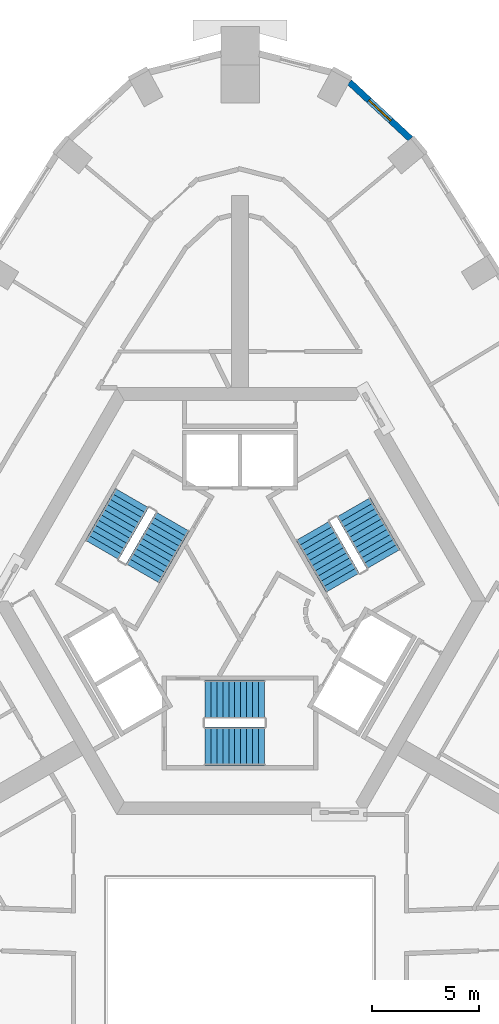
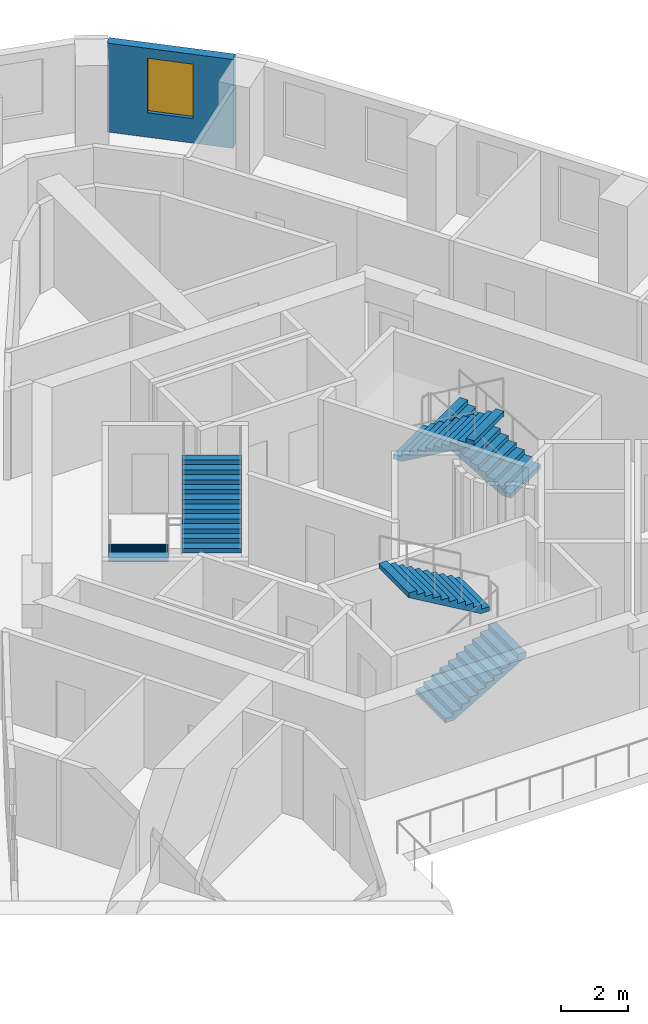
# One storey, part 9 of 11: 6 stair flights, 1 wall, 1 window, 1 opening, 3 elements without a shape of their own.
"""IFC4 building model written with IfcOpenShell, lengths in metres."""

from ifc_helpers import new_model, si_unit, direction, frame, frame_2d, origin, place, context, subcontext, project, spatial, polyline, rectangle, outline, extrude, material, layer, layer_set, type_object, element, fill, aggregate, save


model = new_model("IFC4")

# Units and contexts
model_context = context("Model", 3, precision=1e-05, world=origin(), true_north=direction((0.0, 1.0)))
body_context = subcontext(model_context, "Body", "Model", "MODEL_VIEW")
ifc_project = project(units=[si_unit("LENGTHUNIT", "METRE"), si_unit("AREAUNIT", "SQUARE_METRE"), si_unit("VOLUMEUNIT", "CUBIC_METRE"), si_unit("PLANEANGLEUNIT", "RADIAN"), si_unit("MASSUNIT", "GRAM", prefix="KILO")], contexts=[model_context])

# Site, building, storey
site_placement = place(None, origin())
site = spatial("IfcSite", under=ifc_project, at=site_placement, CompositionType="ELEMENT")
building_placement = place(site_placement, origin())
building = spatial("IfcBuilding", under=site, at=building_placement, Name="Entoto Arch Interchange Tower", CompositionType="ELEMENT")
storey_placement = place(building_placement, frame((0.0, 0.0, 248.60009765625)))
storey = spatial("IfcBuildingStorey", under=building, at=storey_placement, Name="L56", CompositionType="ELEMENT", Elevation=248.60009765625)

# Wall, opening, window
ifc_material_1 = material(Name="Welded tuff (ignimbrite) cladding, warm buff", Category="masonry")
ifc_layer = layer(ifc_material_1, 0.300048828125)
ifc_layer_set = layer_set([ifc_layer], Name="Welded tuff (ignimbrite) cladding, warm buff")
wall_type = type_object("IfcWallType", Name="STONE INFILL WALL 300", PredefinedType="STANDARD", material=ifc_layer_set)
wall_placement = place(storey_placement, frame((7.98095703125, 24.1640625, 0.0), z_axis=(0.0, 0.0, 1.0), x_axis=(-0.733038780179, 0.680186846942, 0.0)))
wall = element("IfcWall", 1, at=wall_placement, inside=storey, type_object=wall_type, Name="Facade wall N-01 L56", PredefinedType="STANDARD", context=body_context, shape_type="SweptSolid", body=[
    extrude(rectangle(XDim=3.898681640625, YDim=0.300048828125, at=frame_2d((1.94921875, 0.0))), origin(), (0.0, 0.0, 1.0), 3.260009765625),
])
opening_placement = place(wall_placement, frame((1.2490234375, 0.0, 0.89990234375)))
opening = element("IfcOpeningElement", 2, at=opening_placement, cuts=wall, Name="Opening WH-B", PredefinedType="OPENING", context=body_context, shape_type="SweptSolid", body=[
    extrude(rectangle(XDim=1.39990234375, YDim=2.0, at=frame_2d((0.699951171875, 1.0))), frame((0.0, 0.16015625, 0.0), z_axis=(0.0, -1.0, 0.0), x_axis=(1.0, 0.0, 0.0)), (0.0, 0.0, 1.0), 0.320068359375),
])
ifc_material_2 = material(Name="Clear glass, low-e double glazed", Category="glass")
window_type = type_object("IfcWindowType", Name="WINDOW WH-B 1400x2000", PartitioningType="DOUBLE_PANEL_VERTICAL", PredefinedType="WINDOW", material=ifc_material_2)
window_placement = place(opening_placement, origin())
window = element("IfcWindow", 3, at=window_placement, inside=storey, type_object=window_type, Name="Window WH-B N-01 L56", OverallHeight=2.0, OverallWidth=1.39990234375, PartitioningType="SINGLE_PANEL", PredefinedType="WINDOW", context=body_context, shape_type="SweptSolid", body=[
    extrude(rectangle(XDim=1.39990234375, YDim=2.0, at=frame_2d((0.699951171875, 1.0))), frame((0.0, 0.030029296875, 0.0), z_axis=(0.0, -1.0, 0.0), x_axis=(1.0, 0.0, 0.0)), (0.0, 0.0, 1.0), 0.06005859375),
])
fill(opening, window)

# Stair, stair flights
ifc_material_3 = material(Name="Concrete C40/50", Category="concrete")
stair_type = type_object("IfcStairType", Name="EXIT STAIR RC 1800", PredefinedType="HALF_TURN_STAIR", material=ifc_material_3)
stair_1_placement = place(storey_placement, origin())
stair_1 = element("IfcStair", 4, at=stair_1_placement, inside=storey, type_object=stair_type, Name="L56 Exit stair S", PredefinedType="HALF_TURN_STAIR")
stair_flight_type = type_object("IfcStairFlightType", Name="EXIT STAIR FLIGHT RC 1800", PredefinedType="STRAIGHT", material=ifc_material_3)
stair_flight_1_placement = place(storey_placement, frame((-1.64990234375, -4.300048828125, 0.0), z_axis=(0.0, 0.0, 1.0), x_axis=(1.0, 0.0, 0.0)))
stair_flight_1 = element("IfcStairFlight", 5, at=stair_flight_1_placement, type_object=stair_flight_type, Name="ST-S flight 1", NumberOfRisers=11, NumberOfTreads=10, PredefinedType="STRAIGHT", RiserHeight=0.163636364, TreadLength=0.28, context=body_context, shape_type="SweptSolid", body=[
    extrude(outline(polyline([(-0.0029296875, 0.0), (-0.0029296875, 0.16357421875), (0.280029296875, 0.16357421875), (0.280029296875, 0.327392578125), (0.56005859375, 0.327392578125), (0.56005859375, 0.490966796875), (0.840087890625, 0.490966796875), (0.840087890625, 0.654541015625), (1.1201171875, 0.654541015625), (1.1201171875, 0.818115234375), (1.39990234375, 0.818115234375), (1.39990234375, 0.98193359375), (1.679931640625, 0.98193359375), (1.679931640625, 1.1455078125), (1.9599609375, 1.1455078125), (1.9599609375, 1.30908203125), (2.239990234375, 1.30908203125), (2.239990234375, 1.47265625), (2.52001953125, 1.47265625), (2.52001953125, 1.636474609375), (2.800048828125, 1.636474609375), (2.802978515625, 1.636474609375), (2.802978515625, 1.464599609375), (0.297119140625, 0.0), (-0.0029296875, 0.0)])), frame((0.0, 0.89990234375, 0.0), z_axis=(0.0, -1.0, 0.0), x_axis=(1.0, 0.0, 0.0)), (0.0, 0.0, 1.0), 1.800048828125),
])
stair_flight_2_placement = place(storey_placement, frame((1.14990234375, -2.10009765625, 1.7998046875), z_axis=(0.0, 0.0, 1.0), x_axis=(-1.0, 0.0, 0.0)))
stair_flight_2 = element("IfcStairFlight", 6, at=stair_flight_2_placement, type_object=stair_flight_type, Name="ST-S flight 2", NumberOfRisers=11, NumberOfTreads=10, PredefinedType="STRAIGHT", RiserHeight=0.163636364, TreadLength=0.28, context=body_context, shape_type="SweptSolid", body=[
    extrude(outline(polyline([(-0.0029296875, 0.0), (-0.0029296875, 0.16357421875), (0.280029296875, 0.16357421875), (0.280029296875, 0.327392578125), (0.56005859375, 0.327392578125), (0.56005859375, 0.490966796875), (0.840087890625, 0.490966796875), (0.840087890625, 0.654541015625), (1.1201171875, 0.654541015625), (1.1201171875, 0.818115234375), (1.39990234375, 0.818115234375), (1.39990234375, 0.98193359375), (1.679931640625, 0.98193359375), (1.679931640625, 1.1455078125), (1.9599609375, 1.1455078125), (1.9599609375, 1.30908203125), (2.239990234375, 1.30908203125), (2.239990234375, 1.47265625), (2.52001953125, 1.47265625), (2.52001953125, 1.636474609375), (2.800048828125, 1.636474609375), (2.802978515625, 1.636474609375), (2.802978515625, 1.464599609375), (0.297119140625, 0.0), (-0.0029296875, 0.0)])), frame((0.0, 0.89990234375, 0.0), z_axis=(0.0, -1.0, 0.0), x_axis=(1.0, 0.0, 0.0)), (0.0, 0.0, 1.0), 1.800048828125),
])
aggregate(stair_1, [stair_flight_1, stair_flight_2])

stair_2_placement = place(storey_placement, origin())
stair_2 = element("IfcStair", 7, at=stair_2_placement, inside=storey, type_object=stair_type, Name="L56 Exit stair NE", PredefinedType="HALF_TURN_STAIR")
stair_flight_3_placement = place(storey_placement, frame((6.7138671875, 4.470947265625, 0.0), z_axis=(0.0, 0.0, 1.0), x_axis=(-0.5, 0.866025403784, 0.0)))
stair_flight_3 = element("IfcStairFlight", 8, at=stair_flight_3_placement, type_object=stair_flight_type, Name="ST-NE flight 1", NumberOfRisers=11, NumberOfTreads=10, PredefinedType="STRAIGHT", RiserHeight=0.163636364, TreadLength=0.28, context=body_context, shape_type="SweptSolid", body=[
    extrude(outline(polyline([(-0.0029296875, 0.0), (-0.0029296875, 0.16357421875), (0.280029296875, 0.16357421875), (0.280029296875, 0.327392578125), (0.56005859375, 0.327392578125), (0.56005859375, 0.490966796875), (0.840087890625, 0.490966796875), (0.840087890625, 0.654541015625), (1.1201171875, 0.654541015625), (1.1201171875, 0.818115234375), (1.39990234375, 0.818115234375), (1.39990234375, 0.98193359375), (1.679931640625, 0.98193359375), (1.679931640625, 1.1455078125), (1.9599609375, 1.1455078125), (1.9599609375, 1.30908203125), (2.239990234375, 1.30908203125), (2.239990234375, 1.47265625), (2.52001953125, 1.47265625), (2.52001953125, 1.636474609375), (2.800048828125, 1.636474609375), (2.802978515625, 1.636474609375), (2.802978515625, 1.464599609375), (0.297119140625, 0.0), (-0.0029296875, 0.0)])), frame((0.0, 0.89990234375, 0.0), z_axis=(0.0, -1.0, 0.0), x_axis=(1.0, 0.0, 0.0)), (0.0, 0.0, 1.0), 1.800048828125),
])
stair_flight_4_placement = place(storey_placement, frame((3.40869140625, 5.7958984375, 1.7998046875), z_axis=(0.0, 0.0, 1.0), x_axis=(0.5, -0.866025403784, 0.0)))
stair_flight_4 = element("IfcStairFlight", 9, at=stair_flight_4_placement, type_object=stair_flight_type, Name="ST-NE flight 2", NumberOfRisers=11, NumberOfTreads=10, PredefinedType="STRAIGHT", RiserHeight=0.163636364, TreadLength=0.28, context=body_context, shape_type="SweptSolid", body=[
    extrude(outline(polyline([(-0.0029296875, 0.0), (-0.0029296875, 0.16357421875), (0.280029296875, 0.16357421875), (0.280029296875, 0.327392578125), (0.56005859375, 0.327392578125), (0.56005859375, 0.490966796875), (0.840087890625, 0.490966796875), (0.840087890625, 0.654541015625), (1.1201171875, 0.654541015625), (1.1201171875, 0.818115234375), (1.39990234375, 0.818115234375), (1.39990234375, 0.98193359375), (1.679931640625, 0.98193359375), (1.679931640625, 1.1455078125), (1.9599609375, 1.1455078125), (1.9599609375, 1.30908203125), (2.239990234375, 1.30908203125), (2.239990234375, 1.47265625), (2.52001953125, 1.47265625), (2.52001953125, 1.636474609375), (2.800048828125, 1.636474609375), (2.802978515625, 1.636474609375), (2.802978515625, 1.464599609375), (0.297119140625, 0.0), (-0.0029296875, 0.0)])), frame((0.0, 0.89990234375, 0.0), z_axis=(0.0, -1.0, 0.0), x_axis=(1.0, 0.0, 0.0)), (0.0, 0.0, 1.0), 1.800048828125),
])
aggregate(stair_2, [stair_flight_3, stair_flight_4])

stair_3_placement = place(storey_placement, origin())
stair_3 = element("IfcStair", 10, at=stair_3_placement, inside=storey, type_object=stair_type, Name="L56 Exit stair NW", PredefinedType="HALF_TURN_STAIR")
stair_flight_5_placement = place(storey_placement, frame((-5.06396484375, 7.328857421875, 0.0), z_axis=(0.0, 0.0, 1.0), x_axis=(-0.5, -0.866025403784, 0.0)))
stair_flight_5 = element("IfcStairFlight", 11, at=stair_flight_5_placement, type_object=stair_flight_type, Name="ST-NW flight 1", NumberOfRisers=11, NumberOfTreads=10, PredefinedType="STRAIGHT", RiserHeight=0.163636364, TreadLength=0.28, context=body_context, shape_type="SweptSolid", body=[
    extrude(outline(polyline([(-0.0029296875, 0.0), (-0.0029296875, 0.16357421875), (0.280029296875, 0.16357421875), (0.280029296875, 0.327392578125), (0.56005859375, 0.327392578125), (0.56005859375, 0.490966796875), (0.840087890625, 0.490966796875), (0.840087890625, 0.654541015625), (1.1201171875, 0.654541015625), (1.1201171875, 0.818115234375), (1.39990234375, 0.818115234375), (1.39990234375, 0.98193359375), (1.679931640625, 0.98193359375), (1.679931640625, 1.1455078125), (1.9599609375, 1.1455078125), (1.9599609375, 1.30908203125), (2.239990234375, 1.30908203125), (2.239990234375, 1.47265625), (2.52001953125, 1.47265625), (2.52001953125, 1.636474609375), (2.800048828125, 1.636474609375), (2.802978515625, 1.636474609375), (2.802978515625, 1.464599609375), (0.297119140625, 0.0), (-0.0029296875, 0.0)])), frame((0.0, 0.89990234375, 0.0), z_axis=(0.0, -1.0, 0.0), x_axis=(1.0, 0.0, 0.0)), (0.0, 0.0, 1.0), 1.800048828125),
])
stair_flight_6_placement = place(storey_placement, frame((-4.558837890625, 3.803955078125, 1.7998046875), z_axis=(0.0, 0.0, 1.0), x_axis=(0.5, 0.866025403784, 0.0)))
stair_flight_6 = element("IfcStairFlight", 12, at=stair_flight_6_placement, type_object=stair_flight_type, Name="ST-NW flight 2", NumberOfRisers=11, NumberOfTreads=10, PredefinedType="STRAIGHT", RiserHeight=0.163636364, TreadLength=0.28, context=body_context, shape_type="SweptSolid", body=[
    extrude(outline(polyline([(-0.0029296875, 0.0), (-0.0029296875, 0.16357421875), (0.280029296875, 0.16357421875), (0.280029296875, 0.327392578125), (0.56005859375, 0.327392578125), (0.56005859375, 0.490966796875), (0.840087890625, 0.490966796875), (0.840087890625, 0.654541015625), (1.1201171875, 0.654541015625), (1.1201171875, 0.818115234375), (1.39990234375, 0.818115234375), (1.39990234375, 0.98193359375), (1.679931640625, 0.98193359375), (1.679931640625, 1.1455078125), (1.9599609375, 1.1455078125), (1.9599609375, 1.30908203125), (2.239990234375, 1.30908203125), (2.239990234375, 1.47265625), (2.52001953125, 1.47265625), (2.52001953125, 1.636474609375), (2.800048828125, 1.636474609375), (2.802978515625, 1.636474609375), (2.802978515625, 1.464599609375), (0.297119140625, 0.0), (-0.0029296875, 0.0)])), frame((0.0, 0.89990234375, 0.0), z_axis=(0.0, -1.0, 0.0), x_axis=(1.0, 0.0, 0.0)), (0.0, 0.0, 1.0), 1.800048828125),
])
aggregate(stair_3, [stair_flight_5, stair_flight_6])

save(model, "model.ifc")
